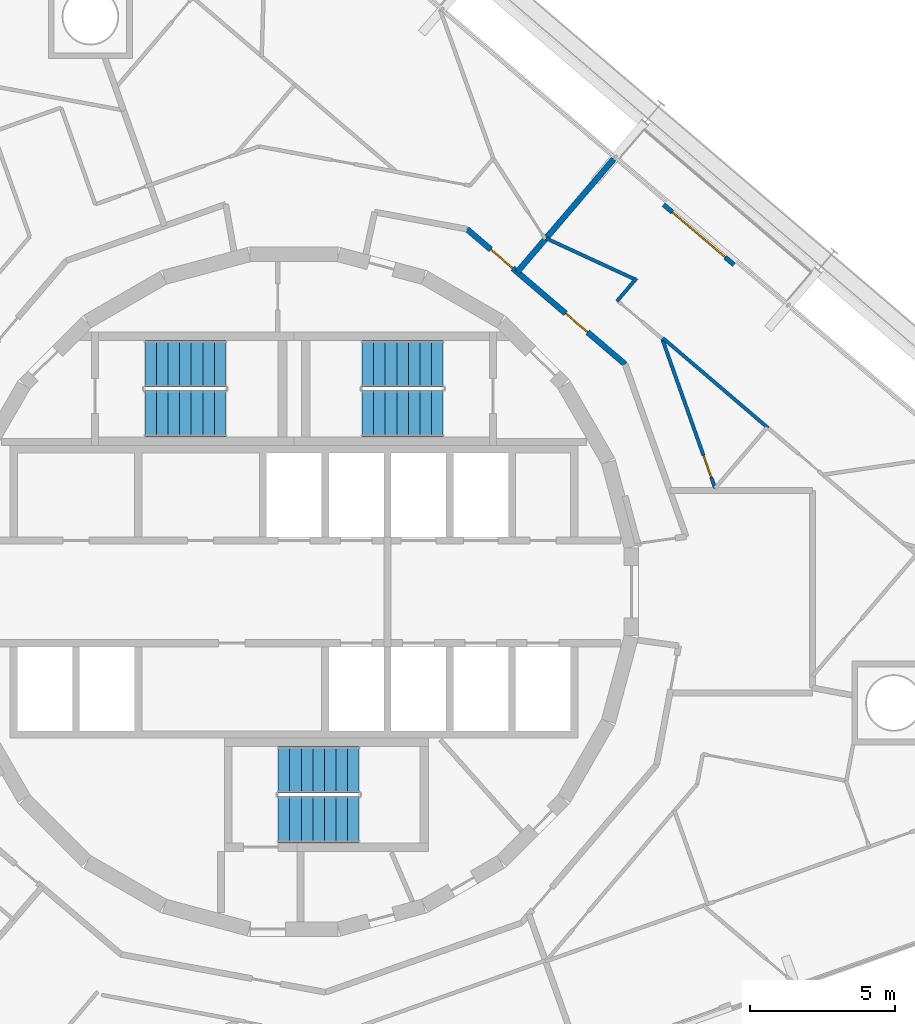
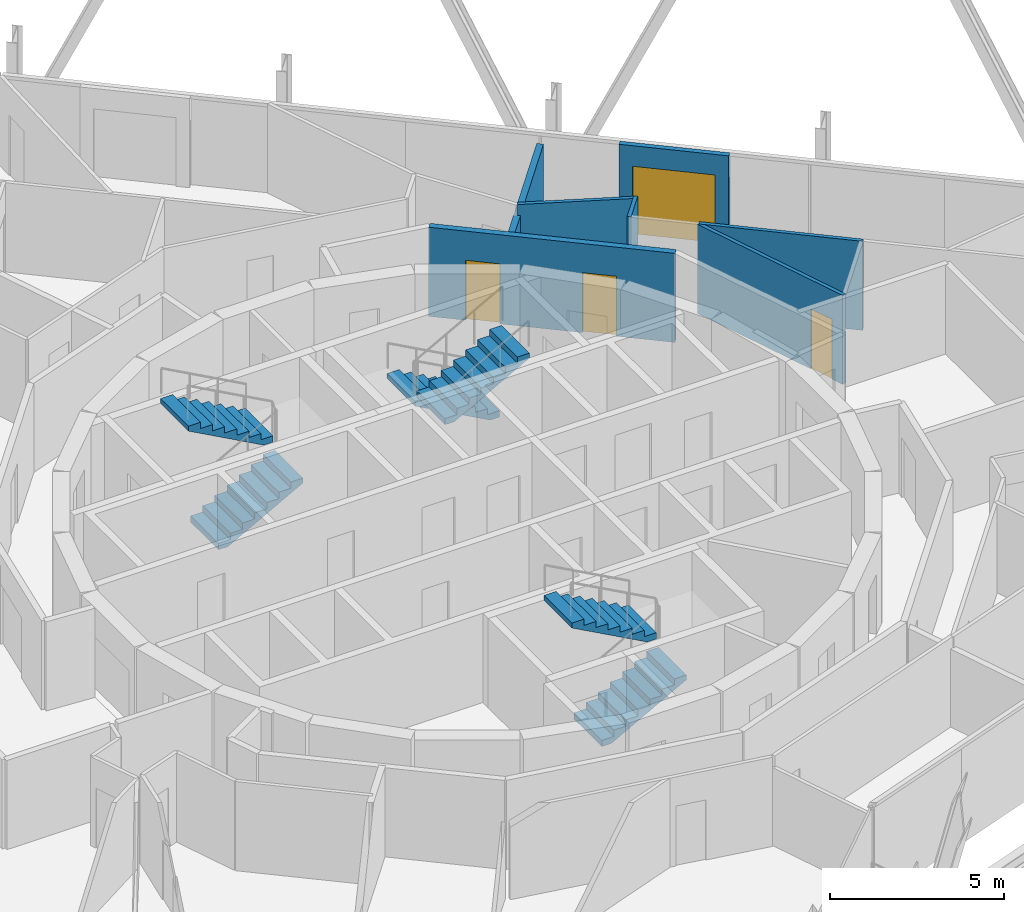
# One storey, part 16 of 17: 7 walls, 6 stair flights, 4 doors, 4 openings, 3 elements without a shape of their own.
"""IFC4 building model written with IfcOpenShell, lengths in metres."""

from ifc_helpers import new_model, si_unit, direction, frame, frame_2d, origin, place, context, subcontext, project, spatial, polyline, rectangle, outline, extrude, material, layer, layer_set, type_object, element, fill, aggregate, save


model = new_model("IFC4")

# Units and contexts
model_context = context("Model", 3, precision=1e-05, world=origin(), true_north=direction((0.0, 1.0)))
body_context = subcontext(model_context, "Body", "Model", "MODEL_VIEW")
ifc_project = project(units=[si_unit("LENGTHUNIT", "METRE"), si_unit("AREAUNIT", "SQUARE_METRE"), si_unit("VOLUMEUNIT", "CUBIC_METRE"), si_unit("PLANEANGLEUNIT", "RADIAN"), si_unit("MASSUNIT", "GRAM", prefix="KILO")], contexts=[model_context])

# Site, building, storey
site_placement = place(None, origin())
site = spatial("IfcSite", under=ifc_project, at=site_placement, CompositionType="ELEMENT")
building_placement = place(site_placement, origin())
building = spatial("IfcBuilding", under=site, at=building_placement, Name="Spindle Arch Residences", CompositionType="ELEMENT")
storey_placement = place(building_placement, frame((0.0, 0.0, 165.699951171875)))
storey = spatial("IfcBuildingStorey", under=building, at=storey_placement, Name="L41", CompositionType="ELEMENT", Elevation=165.699951171875)

# Wall, openings, doors
ifc_material_1 = material(Name="Calcium silicate block, plastered")
ifc_layer_1 = layer(ifc_material_1, 0.199951171875)
ifc_layer_set_1 = layer_set([ifc_layer_1], Name="Corridor wall 200")
wall_type_1 = type_object("IfcWallType", Name="Corridor wall 200", PredefinedType="STANDARD", material=ifc_layer_set_1)
wall_1_placement = place(storey_placement, frame((11.432861328125, 7.857666015625, 0.0), z_axis=(0.0, 0.0, 1.0), x_axis=(-0.760412154545, 0.649440801937, 0.0)))
wall_1 = element("IfcWall", 1, at=wall_1_placement, inside=storey, type_object=wall_type_1, Name="Corridor wall R4B0-W004", PredefinedType="STANDARD", context=body_context, shape_type="SweptSolid", body=[
    extrude(rectangle(XDim=7.180908203125, YDim=0.199951171875, at=frame_2d((3.59033203125, 0.0))), origin(), (0.0, 0.0, 1.0), 3.1201171875),
])
opening_1_placement = place(wall_1_placement, frame((1.699951171875, 0.0, 0.0)))
opening_1 = element("IfcOpeningElement", 2, at=opening_1_placement, cuts=wall_1, Name="Opening R4B0-FD01", PredefinedType="OPENING", context=body_context, shape_type="SweptSolid", body=[
    extrude(rectangle(XDim=1.0, YDim=2.10009765625, at=frame_2d((0.5, 1.050048828125))), frame((0.0, 0.10986328125, 0.0), z_axis=(0.0, -1.0, 0.0), x_axis=(1.0, 0.0, 0.0)), (0.0, 0.0, 1.0), 0.219970703125),
])
opening_2_placement = place(wall_1_placement, frame((5.1005859375, 0.0, 0.0)))
opening_2 = element("IfcOpeningElement", 3, at=opening_2_placement, cuts=wall_1, Name="Opening R4B0-FD02", PredefinedType="OPENING", context=body_context, shape_type="SweptSolid", body=[
    extrude(rectangle(XDim=1.0, YDim=2.10009765625, at=frame_2d((0.5, 1.050048828125))), frame((0.0, 0.10986328125, 0.0), z_axis=(0.0, -1.0, 0.0), x_axis=(1.0, 0.0, 0.0)), (0.0, 0.0, 1.0), 0.219970703125),
])
ifc_material_2 = material(Name="Timber, fire-resisting door set", Category="wood")
door_type_1 = type_object("IfcDoorType", Name="Flat entrance door 1000x2100", OperationType="NOTDEFINED", PredefinedType="DOOR", material=ifc_material_2)
door_1_placement = place(opening_1_placement, origin())
door_1 = element("IfcDoor", 4, at=door_1_placement, inside=storey, type_object=door_type_1, Name="Flat entrance door R4B0-FD01", OperationType="SINGLE_SWING_LEFT", OverallHeight=2.10009765625, OverallWidth=1.0, PredefinedType="DOOR", context=body_context, shape_type="SweptSolid", body=[
    extrude(rectangle(XDim=1.0, YDim=2.10009765625, at=frame_2d((0.5, 1.050048828125))), frame((0.0, 0.02490234375, 0.0), z_axis=(0.0, -1.0, 0.0), x_axis=(1.0, 0.0, 0.0)), (0.0, 0.0, 1.0), 0.050048828125),
])
fill(opening_1, door_1)
door_2_placement = place(opening_2_placement, origin())
door_2 = element("IfcDoor", 5, at=door_2_placement, inside=storey, type_object=door_type_1, Name="Flat entrance door R4B0-FD02", OperationType="SINGLE_SWING_RIGHT", OverallHeight=2.10009765625, OverallWidth=1.0, PredefinedType="DOOR", context=body_context, shape_type="SweptSolid", body=[
    extrude(rectangle(XDim=1.0, YDim=2.10009765625, at=frame_2d((0.5, 1.050048828125))), frame((0.0, 0.02490234375, 0.0), z_axis=(0.0, -1.0, 0.0), x_axis=(1.0, 0.0, 0.0)), (0.0, 0.0, 1.0), 0.050048828125),
])
fill(opening_2, door_2)

# Wall, opening, door
ifc_material_3 = material(Name="Plasterboard on steel studs", Category="steel")
ifc_layer_2 = layer(ifc_material_3, 0.1201171875)
ifc_layer_set_2 = layer_set([ifc_layer_2], Name="Flat partition 120")
wall_type_2 = type_object("IfcWallType", Name="Flat partition 120", PredefinedType="PARTITIONING", material=ifc_layer_set_2)
wall_2_placement = place(storey_placement, frame((14.540771484375, 3.57470703125, 0.0), z_axis=(0.0, 0.0, 1.0), x_axis=(-0.333799280318, 0.942644174893, 0.0)))
wall_2 = element("IfcWall", 6, at=wall_2_placement, inside=storey, type_object=wall_type_2, Name="Flat partition R4B0-W038", PredefinedType="PARTITIONING", context=body_context, shape_type="SweptSolid", body=[
    extrude(rectangle(XDim=5.476806640625, YDim=0.1201171875, at=frame_2d((2.73828125, 0.0))), origin(), (0.0, 0.0, 1.0), 3.1201171875),
])
opening_3_placement = place(wall_2_placement, frame((0.39990234375, 0.0, 0.0)))
opening_3 = element("IfcOpeningElement", 7, at=opening_3_placement, cuts=wall_2, Name="Opening R4B0-BD01", PredefinedType="OPENING", context=body_context, shape_type="SweptSolid", body=[
    extrude(rectangle(XDim=0.800048828125, YDim=2.10009765625, at=frame_2d((0.39990234375, 1.050048828125))), frame((0.0, 0.070068359375, 0.0), z_axis=(0.0, -1.0, 0.0), x_axis=(1.0, 0.0, 0.0)), (0.0, 0.0, 1.0), 0.14013671875),
])
ifc_material_4 = material(Name="Timber door set", Category="wood")
door_type_2 = type_object("IfcDoorType", Name="Bathroom door 800x2100", OperationType="NOTDEFINED", PredefinedType="DOOR", material=ifc_material_4)
door_3_placement = place(opening_3_placement, origin())
door_3 = element("IfcDoor", 8, at=door_3_placement, inside=storey, type_object=door_type_2, Name="Bathroom door R4B0-BD01", OperationType="SINGLE_SWING_LEFT", OverallHeight=2.10009765625, OverallWidth=0.800048828125, PredefinedType="DOOR", context=body_context, shape_type="SweptSolid", body=[
    extrude(rectangle(XDim=0.800048828125, YDim=2.10009765625, at=frame_2d((0.39990234375, 1.050048828125))), frame((0.0, 0.02490234375, 0.0), z_axis=(0.0, -1.0, 0.0), x_axis=(1.0, 0.0, 0.0)), (0.0, 0.0, 1.0), 0.050048828125),
])
fill(opening_3, door_3)

# Walls
wall_3_placement = place(storey_placement, frame((12.734130859375, 8.76220703125, 0.0), z_axis=(0.0, 0.0, 1.0), x_axis=(0.760390484255, -0.649466174219, 0.0)))
element("IfcWall", 9, at=wall_3_placement, inside=storey, type_object=wall_type_2, Name="Flat partition R4B0-W040", PredefinedType="PARTITIONING", context=body_context, shape_type="SweptSolid", body=[
    extrude(rectangle(XDim=4.78271484375, YDim=0.1201171875, at=frame_2d((2.391357421875, 0.0))), origin(), (0.0, 0.0, 1.0), 3.1201171875),
])
wall_4_placement = place(storey_placement, frame((11.152587890625, 10.0341796875, 0.0), z_axis=(0.0, 0.0, 1.0), x_axis=(0.649381401329, 0.760462882466, 0.0)))
element("IfcWall", 10, at=wall_4_placement, inside=storey, type_object=wall_type_2, Name="Flat partition R4B0-W041", PredefinedType="PARTITIONING", context=body_context, shape_type="SweptSolid", body=[
    extrude(rectangle(XDim=1.041748046875, YDim=0.1201171875, at=frame_2d((0.52099609375, 0.0))), origin(), (0.0, 0.0, 1.0), 3.1201171875),
])
wall_5_placement = place(storey_placement, frame((11.790283203125, 10.78076171875, 0.0), z_axis=(0.0, 0.0, 1.0), x_axis=(-0.907999296286, 0.418971691101, 0.0)))
element("IfcWall", 11, at=wall_5_placement, inside=storey, type_object=wall_type_2, Name="Flat partition R4B0-W042", PredefinedType="PARTITIONING", context=body_context, shape_type="SweptSolid", body=[
    extrude(rectangle(XDim=3.4013671875, YDim=0.1201171875, at=frame_2d((1.70068359375, 0.0))), origin(), (0.0, 0.0, 1.0), 3.1201171875),
])
ifc_material_5 = material(Name="Calcium silicate block, plastered")
ifc_layer_3 = layer(ifc_material_5, 0.199951171875)
ifc_layer_set_3 = layer_set([ifc_layer_3], Name="Flat party wall 200 under beam 2730")
wall_type_3 = type_object("IfcWallType", Name="Flat party wall 200 under beam 2730", PredefinedType="STANDARD", material=ifc_layer_set_3)
wall_6_placement = place(storey_placement, frame((11.0400390625, 14.943359375, 0.0), z_axis=(0.0, 0.0, 1.0), x_axis=(-0.649442880087, -0.760410379666, 0.0)))
element("IfcWall", 12, at=wall_6_placement, inside=storey, type_object=wall_type_3, Name="Flat party wall R4B0-W028", PredefinedType="STANDARD", context=body_context, shape_type="SweptSolid", body=[
    extrude(rectangle(XDim=5.1328125, YDim=0.199951171875, at=frame_2d((2.56640625, 0.0))), origin(), (0.0, 0.0, 1.0), 2.72998046875),
])

# Wall, opening, door
ifc_material_6 = material(Name="Non-combustible mineral wool insulated aluminium faced external wall (K0)", Category="aluminium")
ifc_layer_4 = layer(ifc_material_6, 0.159912109375)
ifc_layer_set_4 = layer_set([ifc_layer_4], Name="Insulated external wall panel 160")
wall_type_4 = type_object("IfcWallType", Name="Insulated external wall panel 160", PredefinedType="STANDARD", material=ifc_layer_set_4)
wall_7_placement = place(storey_placement, frame((15.193115234375, 11.291015625, 0.0), z_axis=(0.0, 0.0, 1.0), x_axis=(-0.760391731187, 0.649464714317, 0.0)))
wall_7 = element("IfcWall", 13, at=wall_7_placement, inside=storey, type_object=wall_type_4, Name="External wall L41 bay 7", PredefinedType="STANDARD", context=body_context, shape_type="SweptSolid", body=[
    extrude(rectangle(XDim=3.2001953125, YDim=0.159912109375, at=frame_2d((1.60009765625, 0.0))), origin(), (0.0, 0.0, 1.0), 3.1201171875),
])
opening_4_placement = place(wall_7_placement, frame((0.39990234375, 0.0, 0.0)))
opening_4 = element("IfcOpeningElement", 14, at=opening_4_placement, cuts=wall_7, Name="Opening BD07", PredefinedType="OPENING", context=body_context, shape_type="SweptSolid", body=[
    extrude(rectangle(XDim=2.39990234375, YDim=2.39990234375, at=frame_2d((1.199951171875, 1.199951171875))), frame((0.0, 0.08984375, 0.0), z_axis=(0.0, -1.0, 0.0), x_axis=(1.0, 0.0, 0.0)), (0.0, 0.0, 1.0), 0.179931640625),
])
ifc_material_7 = material(Name="Bronze aluminium frame, tinted double glazing", Category="aluminium")
door_type_3 = type_object("IfcDoorType", Name="Sliding glazed balcony door 2400x2400", OperationType="DOUBLE_DOOR_SLIDING", PredefinedType="DOOR", material=ifc_material_7)
door_4_placement = place(opening_4_placement, origin())
door_4 = element("IfcDoor", 15, at=door_4_placement, inside=storey, type_object=door_type_3, Name="Balcony door BD07", OperationType="DOUBLE_DOOR_SLIDING", OverallHeight=2.39990234375, OverallWidth=2.39990234375, PredefinedType="DOOR", context=body_context, shape_type="SweptSolid", body=[
    extrude(rectangle(XDim=2.39990234375, YDim=2.39990234375, at=frame_2d((1.199951171875, 1.199951171875))), frame((0.0, 0.02490234375, 0.0), z_axis=(0.0, -1.0, 0.0), x_axis=(1.0, 0.0, 0.0)), (0.0, 0.0, 1.0), 0.050048828125),
])
fill(opening_4, door_4)

# Stair, stair flights
ifc_material_8 = material(Name="Concrete C50/60", Category="concrete")
stair_type = type_object("IfcStairType", Name="Exit stair 16 risers", PredefinedType="HALF_TURN_STAIR", material=ifc_material_8)
stair_1_placement = place(storey_placement, origin())
stair_1 = element("IfcStair", 16, at=stair_1_placement, inside=storey, type_object=stair_type, Name="L41 Exit stair ST1", PredefinedType="HALF_TURN_STAIR")
ifc_material_9 = material(Name="Concrete C50/60", Category="concrete")
stair_flight_type = type_object("IfcStairFlightType", Name="Exit stair flight", PredefinedType="STRAIGHT", material=ifc_material_9)
stair_flight_1_placement = place(storey_placement, frame((5.14990234375, 7.8701171875, 0.0), z_axis=(0.0, 0.0, 1.0), x_axis=(-1.0, 0.0, 0.0)))
stair_flight_1 = element("IfcStairFlight", 17, at=stair_flight_1_placement, type_object=stair_flight_type, Name="ST1 flight 1", NumberOfRisers=8, NumberOfTreads=7, PredefinedType="STRAIGHT", RiserHeight=0.21875, TreadLength=0.4, context=body_context, shape_type="SweptSolid", body=[
    extrude(outline(polyline([(0.0, 0.0), (0.0, 0.21875), (0.39990234375, 0.21875), (0.39990234375, 0.4375), (0.800048828125, 0.4375), (0.800048828125, 0.65625), (1.199951171875, 0.65625), (1.199951171875, 0.875), (1.60009765625, 0.875), (1.60009765625, 1.09375), (2.0, 1.09375), (2.0, 1.3125), (2.39990234375, 1.3125), (2.39990234375, 1.53125), (2.800048828125, 1.53125), (2.800048828125, 1.75), (2.800048828125, 1.3603515625), (0.3125, 0.0), (0.0, 0.0)])), frame((0.0, 0.800048828125, 0.0), z_axis=(0.0, -1.0, 0.0), x_axis=(1.0, 0.0, 0.0)), (0.0, 0.0, 1.0), 1.60009765625),
])
stair_flight_2_placement = place(storey_placement, frame((2.35009765625, 6.14990234375, 1.75), z_axis=(0.0, 0.0, 1.0), x_axis=(1.0, 0.0, 0.0)))
stair_flight_2 = element("IfcStairFlight", 18, at=stair_flight_2_placement, type_object=stair_flight_type, Name="ST1 flight 2", NumberOfRisers=8, NumberOfTreads=7, PredefinedType="STRAIGHT", RiserHeight=0.21875, TreadLength=0.4, context=body_context, shape_type="SweptSolid", body=[
    extrude(outline(polyline([(0.0, 0.0), (0.0, 0.21875), (0.39990234375, 0.21875), (0.39990234375, 0.4375), (0.800048828125, 0.4375), (0.800048828125, 0.65625), (1.199951171875, 0.65625), (1.199951171875, 0.875), (1.60009765625, 0.875), (1.60009765625, 1.09375), (2.0, 1.09375), (2.0, 1.3125), (2.39990234375, 1.3125), (2.39990234375, 1.53125), (2.800048828125, 1.53125), (2.800048828125, 1.75), (2.800048828125, 1.3603515625), (0.3125, 0.0), (0.0, 0.0)])), frame((0.0, 0.800048828125, 0.0), z_axis=(0.0, -1.0, 0.0), x_axis=(1.0, 0.0, 0.0)), (0.0, 0.0, 1.0), 1.60009765625),
])
aggregate(stair_1, [stair_flight_1, stair_flight_2])

stair_2_placement = place(storey_placement, origin())
stair_2 = element("IfcStair", 19, at=stair_2_placement, inside=storey, type_object=stair_type, Name="L41 Exit stair ST2", PredefinedType="HALF_TURN_STAIR")
stair_flight_3_placement = place(storey_placement, frame((-5.14990234375, 6.14990234375, 0.0), z_axis=(0.0, 0.0, 1.0), x_axis=(1.0, 0.0, 0.0)))
stair_flight_3 = element("IfcStairFlight", 20, at=stair_flight_3_placement, type_object=stair_flight_type, Name="ST2 flight 1", NumberOfRisers=8, NumberOfTreads=7, PredefinedType="STRAIGHT", RiserHeight=0.21875, TreadLength=0.4, context=body_context, shape_type="SweptSolid", body=[
    extrude(outline(polyline([(0.0, 0.0), (0.0, 0.21875), (0.39990234375, 0.21875), (0.39990234375, 0.4375), (0.800048828125, 0.4375), (0.800048828125, 0.65625), (1.199951171875, 0.65625), (1.199951171875, 0.875), (1.60009765625, 0.875), (1.60009765625, 1.09375), (2.0, 1.09375), (2.0, 1.3125), (2.39990234375, 1.3125), (2.39990234375, 1.53125), (2.800048828125, 1.53125), (2.800048828125, 1.75), (2.800048828125, 1.3603515625), (0.3125, 0.0), (0.0, 0.0)])), frame((0.0, 0.800048828125, 0.0), z_axis=(0.0, -1.0, 0.0), x_axis=(1.0, 0.0, 0.0)), (0.0, 0.0, 1.0), 1.60009765625),
])
stair_flight_4_placement = place(storey_placement, frame((-2.35009765625, 7.8701171875, 1.75), z_axis=(0.0, 0.0, 1.0), x_axis=(-1.0, 0.0, 0.0)))
stair_flight_4 = element("IfcStairFlight", 21, at=stair_flight_4_placement, type_object=stair_flight_type, Name="ST2 flight 2", NumberOfRisers=8, NumberOfTreads=7, PredefinedType="STRAIGHT", RiserHeight=0.21875, TreadLength=0.4, context=body_context, shape_type="SweptSolid", body=[
    extrude(outline(polyline([(0.0, 0.0), (0.0, 0.21875), (0.39990234375, 0.21875), (0.39990234375, 0.4375), (0.800048828125, 0.4375), (0.800048828125, 0.65625), (1.199951171875, 0.65625), (1.199951171875, 0.875), (1.60009765625, 0.875), (1.60009765625, 1.09375), (2.0, 1.09375), (2.0, 1.3125), (2.39990234375, 1.3125), (2.39990234375, 1.53125), (2.800048828125, 1.53125), (2.800048828125, 1.75), (2.800048828125, 1.3603515625), (0.3125, 0.0), (0.0, 0.0)])), frame((0.0, 0.800048828125, 0.0), z_axis=(0.0, -1.0, 0.0), x_axis=(1.0, 0.0, 0.0)), (0.0, 0.0, 1.0), 1.60009765625),
])
aggregate(stair_2, [stair_flight_3, stair_flight_4])

stair_3_placement = place(storey_placement, origin())
stair_3 = element("IfcStair", 22, at=stair_3_placement, inside=storey, type_object=stair_type, Name="L41 Exit stair ST3", PredefinedType="HALF_TURN_STAIR")
stair_flight_5_placement = place(storey_placement, frame((-0.550048828125, -7.8701171875, 0.0), z_axis=(0.0, 0.0, 1.0), x_axis=(1.0, 0.0, 0.0)))
stair_flight_5 = element("IfcStairFlight", 23, at=stair_flight_5_placement, type_object=stair_flight_type, Name="ST3 flight 1", NumberOfRisers=8, NumberOfTreads=7, PredefinedType="STRAIGHT", RiserHeight=0.21875, TreadLength=0.4, context=body_context, shape_type="SweptSolid", body=[
    extrude(outline(polyline([(0.0, 0.0), (0.0, 0.21875), (0.39990234375, 0.21875), (0.39990234375, 0.4375), (0.800048828125, 0.4375), (0.800048828125, 0.65625), (1.199951171875, 0.65625), (1.199951171875, 0.875), (1.60009765625, 0.875), (1.60009765625, 1.09375), (2.0, 1.09375), (2.0, 1.3125), (2.39990234375, 1.3125), (2.39990234375, 1.53125), (2.800048828125, 1.53125), (2.800048828125, 1.75), (2.800048828125, 1.3603515625), (0.3125, 0.0), (0.0, 0.0)])), frame((0.0, 0.800048828125, 0.0), z_axis=(0.0, -1.0, 0.0), x_axis=(1.0, 0.0, 0.0)), (0.0, 0.0, 1.0), 1.60009765625),
])
stair_flight_6_placement = place(storey_placement, frame((2.25, -6.14990234375, 1.75), z_axis=(0.0, 0.0, 1.0), x_axis=(-1.0, 0.0, 0.0)))
stair_flight_6 = element("IfcStairFlight", 24, at=stair_flight_6_placement, type_object=stair_flight_type, Name="ST3 flight 2", NumberOfRisers=8, NumberOfTreads=7, PredefinedType="STRAIGHT", RiserHeight=0.21875, TreadLength=0.4, context=body_context, shape_type="SweptSolid", body=[
    extrude(outline(polyline([(0.0, 0.0), (0.0, 0.21875), (0.39990234375, 0.21875), (0.39990234375, 0.4375), (0.800048828125, 0.4375), (0.800048828125, 0.65625), (1.199951171875, 0.65625), (1.199951171875, 0.875), (1.60009765625, 0.875), (1.60009765625, 1.09375), (2.0, 1.09375), (2.0, 1.3125), (2.39990234375, 1.3125), (2.39990234375, 1.53125), (2.800048828125, 1.53125), (2.800048828125, 1.75), (2.800048828125, 1.3603515625), (0.3125, 0.0), (0.0, 0.0)])), frame((0.0, 0.800048828125, 0.0), z_axis=(0.0, -1.0, 0.0), x_axis=(1.0, 0.0, 0.0)), (0.0, 0.0, 1.0), 1.60009765625),
])
aggregate(stair_3, [stair_flight_5, stair_flight_6])

save(model, "model.ifc")
